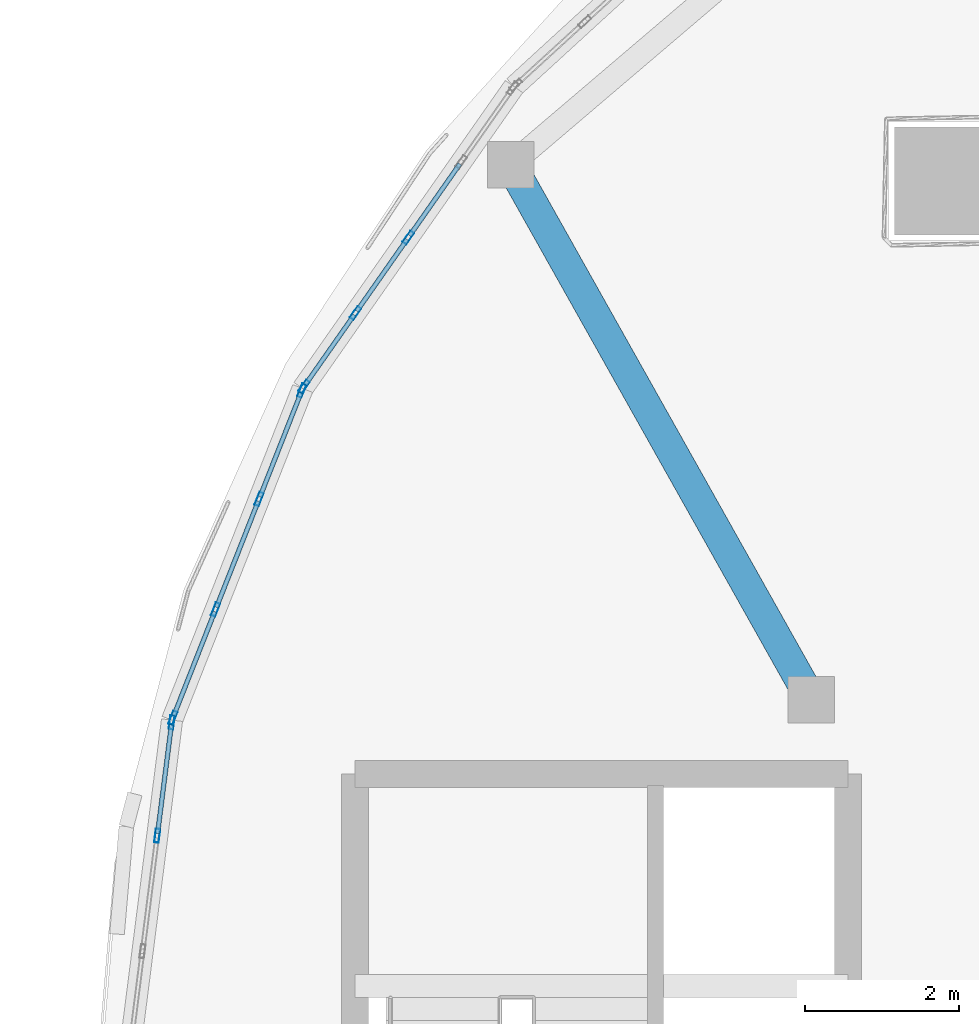
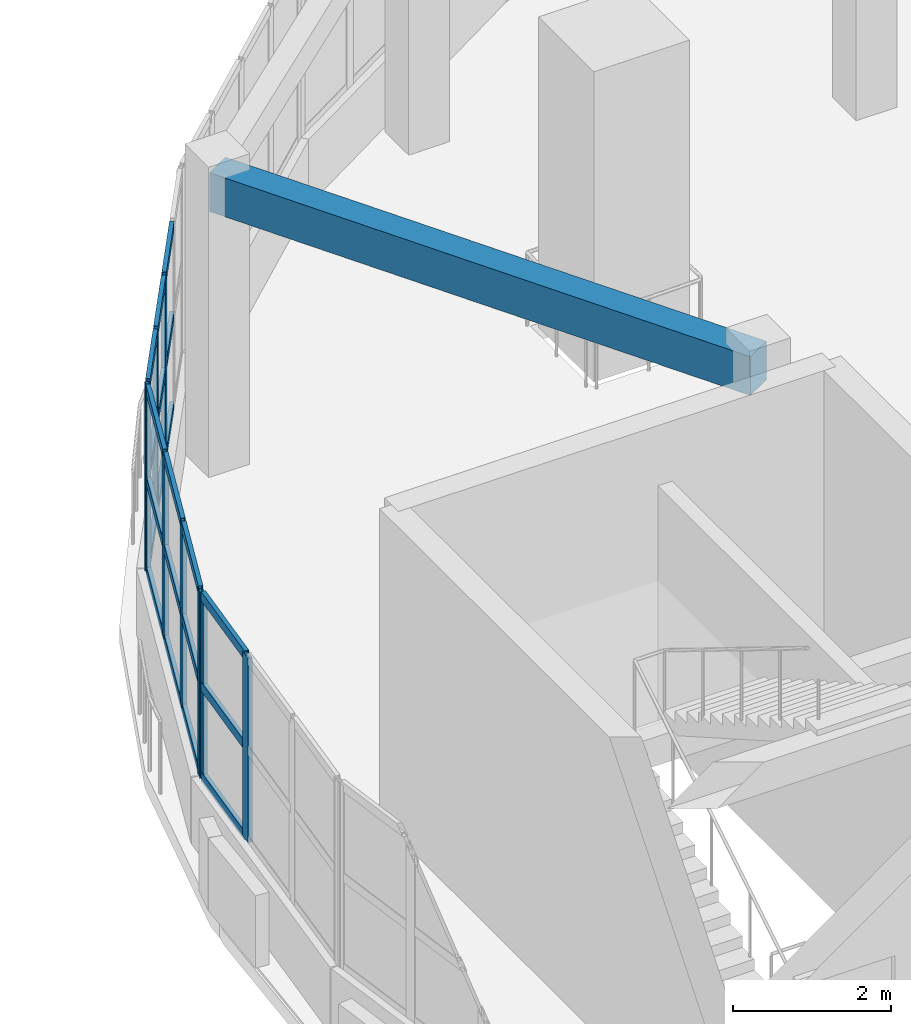
# One storey, part 20 of 69: 30 members, 1 beam, 3 elements without a shape of their own.
"""IFC4 building model written with IfcOpenShell, lengths in metres."""

from ifc_helpers import new_model, si_unit, direction, frame, origin, origin_2d, place, context, subcontext, project, spatial, rectangle, hollow_rectangle, extrude, material, layer, layer_set, material_profile, profile_set, type_object, element, aggregate, save


model = new_model("IFC4")

# Units and contexts
model_context = context("Model", 3, precision=1e-05, world=origin(), true_north=direction((0.0, 1.0)))
body_context = subcontext(model_context, "Body", "Model", "MODEL_VIEW")
ifc_project = project(units=[si_unit("LENGTHUNIT", "METRE"), si_unit("AREAUNIT", "SQUARE_METRE"), si_unit("VOLUMEUNIT", "CUBIC_METRE"), si_unit("PLANEANGLEUNIT", "RADIAN"), si_unit("MASSUNIT", "GRAM", prefix="KILO")], contexts=[model_context])

# Site, building, storey
site_placement = place(None, origin())
site = spatial("IfcSite", under=ifc_project, at=site_placement, CompositionType="ELEMENT")
building_placement = place(site_placement, origin())
building = spatial("IfcBuilding", under=site, at=building_placement, Name="Pelvatis Terrace Science Centre", CompositionType="ELEMENT")
storey_placement = place(building_placement, frame((0.0, 0.0, 15.0)))
storey = spatial("IfcBuildingStorey", under=building, at=storey_placement, Name="L03", CompositionType="ELEMENT", Elevation=15.0)

# Beam
ifc_material_1 = material(Name="Concrete C35/45", Category="concrete")
ifc_material_profile_1 = material_profile(ifc_material_1, rectangle(XDim=0.39990234375, YDim=0.60009765625, at=origin_2d()), Name="RC-BM 400x600")
ifc_profile_set_1 = profile_set([ifc_material_profile_1], Name="Concrete C35/45")
beam_type = type_object("IfcBeamType", Name="BM-RC-400x600", PredefinedType="BEAM", material=ifc_profile_set_1)
beam_placement = place(storey_placement, frame((88.8203125, 95.71142578125, 4.25), z_axis=(0.489826177205, -0.871820116839, 0.0), x_axis=(0.871820116839, 0.489826177205, 0.0)))
element("IfcBeam", 1, at=beam_placement, inside=storey, type_object=beam_type, Name="Beam BM-L03-3023", PredefinedType="BEAM", context=body_context, shape_type="SweptSolid", body=[
    extrude(rectangle(XDim=0.39990234375, YDim=0.60009765625, at=origin_2d()), origin(), (0.0, 0.0, 1.0), 7.96728515625),
])

# Curtain wall, members
ifc_material_2 = material(Name="Bronze-anodised aluminium and laminated glass", Category="aluminium")
ifc_layer = layer(ifc_material_2, 0.179931640625)
ifc_layer_set = layer_set([ifc_layer], Name="Bronze-anodised aluminium and laminated glass")
curtain_wall_type = type_object("IfcCurtainWallType", Name="CW-RIBBON-A", PredefinedType="NOTDEFINED", material=ifc_layer_set)
curtain_wall_1_placement = place(storey_placement, origin())
curtain_wall_1 = element("IfcCurtainWall", 2, at=curtain_wall_1_placement, inside=storey, type_object=curtain_wall_type, Name="Ribbon curtain wall CW-195 (L03)", PredefinedType="NOTDEFINED")
ifc_material_3 = material(Name="Bronze-anodised aluminium 6063-T6", Category="aluminium")
ifc_material_profile_2 = material_profile(ifc_material_3, hollow_rectangle(XDim=0.06005859375, YDim=0.179931640625, WallThickness=0.00390625, at=origin_2d()), Name="ALU-MUL 60x180")
ifc_profile_set_2 = profile_set([ifc_material_profile_2], Name="Bronze-anodised aluminium 6063-T6")
member_type_1 = type_object("IfcMemberType", Name="CWM-60x180", PredefinedType="MULLION", material=ifc_profile_set_2)
member_1_placement = place(storey_placement, frame((87.491455078125, 94.765625, 1.02001953125), z_axis=(0.0, 0.0, 1.0), x_axis=(0.81922799303, -0.573467955021, 0.0)))
member_1 = element("IfcMember", 3, at=member_1_placement, type_object=member_type_1, Name="CW-195 mullion 3", PredefinedType="MULLION", context=body_context, shape_type="SweptSolid", body=[
    extrude(hollow_rectangle(XDim=0.06005859375, YDim=0.179931640625, WallThickness=0.00390625, at=origin_2d()), origin(), (0.0, 0.0, 1.0), 2.85009765625),
])
member_2_placement = place(storey_placement, frame((86.805419921875, 93.78564453125, 1.02001953125), z_axis=(0.0, 0.0, 1.0), x_axis=(0.81922799303, -0.573467955021, 0.0)))
member_2 = element("IfcMember", 4, at=member_2_placement, type_object=member_type_1, Name="CW-195 mullion 4", PredefinedType="MULLION", context=body_context, shape_type="SweptSolid", body=[
    extrude(hollow_rectangle(XDim=0.06005859375, YDim=0.179931640625, WallThickness=0.00390625, at=origin_2d()), origin(), (0.0, 0.0, 1.0), 2.85009765625),
])
member_3_placement = place(storey_placement, frame((86.13671875, 92.830322265625, 1.02001953125), z_axis=(0.0, 0.0, 1.0), x_axis=(0.81922799303, -0.573467955021, 0.0)))
member_3 = element("IfcMember", 5, at=member_3_placement, type_object=member_type_1, Name="CW-195 mullion 5", PredefinedType="MULLION", context=body_context, shape_type="SweptSolid", body=[
    extrude(hollow_rectangle(XDim=0.06005859375, YDim=0.179931640625, WallThickness=0.00390625, at=origin_2d()), origin(), (0.0, 0.0, 1.0), 2.85009765625),
])

curtain_wall_2_placement = place(storey_placement, origin())
curtain_wall_2 = element("IfcCurtainWall", 6, at=curtain_wall_2_placement, inside=storey, type_object=curtain_wall_type, Name="Ribbon curtain wall CW-196 (L03)", PredefinedType="NOTDEFINED")
member_4_placement = place(storey_placement, frame((86.1083984375, 92.77783203125, 1.02001953125), z_axis=(0.0, 0.0, 1.0), x_axis=(0.930401915157, -0.366540961248, 0.0)))
member_4 = element("IfcMember", 7, at=member_4_placement, type_object=member_type_1, Name="CW-196 mullion 1", PredefinedType="MULLION", context=body_context, shape_type="SweptSolid", body=[
    extrude(hollow_rectangle(XDim=0.06005859375, YDim=0.179931640625, WallThickness=0.00390625, at=origin_2d()), origin(), (0.0, 0.0, 1.0), 2.85009765625),
])
member_5_placement = place(storey_placement, frame((85.55419921875, 91.370849609375, 1.02001953125), z_axis=(0.0, 0.0, 1.0), x_axis=(0.930401915157, -0.366540961248, 0.0)))
member_5 = element("IfcMember", 8, at=member_5_placement, type_object=member_type_1, Name="CW-196 mullion 2", PredefinedType="MULLION", context=body_context, shape_type="SweptSolid", body=[
    extrude(hollow_rectangle(XDim=0.06005859375, YDim=0.179931640625, WallThickness=0.00390625, at=origin_2d()), origin(), (0.0, 0.0, 1.0), 2.85009765625),
])
member_6_placement = place(storey_placement, frame((84.98876953125, 89.93603515625, 1.02001953125), z_axis=(0.0, 0.0, 1.0), x_axis=(0.930401915157, -0.366540961248, 0.0)))
member_6 = element("IfcMember", 9, at=member_6_placement, type_object=member_type_1, Name="CW-196 mullion 3", PredefinedType="MULLION", context=body_context, shape_type="SweptSolid", body=[
    extrude(hollow_rectangle(XDim=0.06005859375, YDim=0.179931640625, WallThickness=0.00390625, at=origin_2d()), origin(), (0.0, 0.0, 1.0), 2.85009765625),
])
member_7_placement = place(storey_placement, frame((84.4345703125, 88.529296875, 1.02001953125), z_axis=(0.0, 0.0, 1.0), x_axis=(0.930401915157, -0.366540961248, 0.0)))
member_7 = element("IfcMember", 10, at=member_7_placement, type_object=member_type_1, Name="CW-196 mullion 4", PredefinedType="MULLION", context=body_context, shape_type="SweptSolid", body=[
    extrude(hollow_rectangle(XDim=0.06005859375, YDim=0.179931640625, WallThickness=0.00390625, at=origin_2d()), origin(), (0.0, 0.0, 1.0), 2.85009765625),
])

curtain_wall_3_placement = place(storey_placement, origin())
curtain_wall_3 = element("IfcCurtainWall", 11, at=curtain_wall_3_placement, inside=storey, type_object=curtain_wall_type, Name="Ribbon curtain wall CW-197 (L03)", PredefinedType="NOTDEFINED")
member_8_placement = place(storey_placement, frame((84.419921875, 88.471435546875, 1.02001953125), z_axis=(0.0, 0.0, 1.0), x_axis=(0.991978378597, -0.126407659563, 0.0)))
member_8 = element("IfcMember", 12, at=member_8_placement, type_object=member_type_1, Name="CW-197 mullion 1", PredefinedType="MULLION", context=body_context, shape_type="SweptSolid", body=[
    extrude(hollow_rectangle(XDim=0.06005859375, YDim=0.179931640625, WallThickness=0.00390625, at=origin_2d()), origin(), (0.0, 0.0, 1.0), 2.85009765625),
])
member_9_placement = place(storey_placement, frame((84.232421875, 87.0009765625, 1.02001953125), z_axis=(0.0, 0.0, 1.0), x_axis=(0.991978378597, -0.126407659563, 0.0)))
member_9 = element("IfcMember", 13, at=member_9_placement, type_object=member_type_1, Name="CW-197 mullion 2", PredefinedType="MULLION", context=body_context, shape_type="SweptSolid", body=[
    extrude(hollow_rectangle(XDim=0.06005859375, YDim=0.179931640625, WallThickness=0.00390625, at=origin_2d()), origin(), (0.0, 0.0, 1.0), 2.85009765625),
])

# Member
ifc_material_4 = material(Name="Bronze-anodised aluminium 6063-T6", Category="aluminium")
ifc_material_profile_3 = material_profile(ifc_material_4, hollow_rectangle(XDim=0.06005859375, YDim=0.139892578125, WallThickness=0.00390625, at=origin_2d()), Name="ALU-TRN 60x140")
ifc_profile_set_3 = profile_set([ifc_material_profile_3], Name="Bronze-anodised aluminium 6063-T6")
member_type_2 = type_object("IfcMemberType", Name="CWT-60x140", PredefinedType="USERDEFINED", material=ifc_profile_set_3)
member_10_placement = place(storey_placement, frame((88.16015625, 95.72119140625, 1.050048828125), z_axis=(-0.573447924478, -0.81924201425, 0.0), x_axis=(0.81924201425, -0.573447924478, 0.0)))
member_10 = element("IfcMember", 14, at=member_10_placement, type_object=member_type_2, Name="CW-195 transom 2.1", ObjectType="TRANSOM", PredefinedType="USERDEFINED", context=body_context, shape_type="SweptSolid", body=[
    extrude(hollow_rectangle(XDim=0.06005859375, YDim=0.139892578125, WallThickness=0.00390625, at=origin_2d()), origin(), (0.0, 0.0, 1.0), 1.13623046875),
])

member_11_placement = place(storey_placement, frame((88.16015625, 95.72119140625, 2.445068359375), z_axis=(-0.573447924478, -0.81924201425, 0.0), x_axis=(0.81924201425, -0.573447924478, 0.0)))
member_11 = element("IfcMember", 15, at=member_11_placement, type_object=member_type_2, Name="CW-195 transom 2.2", ObjectType="TRANSOM", PredefinedType="USERDEFINED", context=body_context, shape_type="SweptSolid", body=[
    extrude(hollow_rectangle(XDim=0.06005859375, YDim=0.139892578125, WallThickness=0.00390625, at=origin_2d()), origin(), (0.0, 0.0, 1.0), 1.13623046875),
])

member_12_placement = place(storey_placement, frame((88.16015625, 95.72119140625, 3.840087890625), z_axis=(-0.573447924478, -0.81924201425, 0.0), x_axis=(0.81924201425, -0.573447924478, 0.0)))
member_12 = element("IfcMember", 16, at=member_12_placement, type_object=member_type_2, Name="CW-195 transom 2.3", ObjectType="TRANSOM", PredefinedType="USERDEFINED", context=body_context, shape_type="SweptSolid", body=[
    extrude(hollow_rectangle(XDim=0.06005859375, YDim=0.139892578125, WallThickness=0.00390625, at=origin_2d()), origin(), (0.0, 0.0, 1.0), 1.13623046875),
])

member_13_placement = place(storey_placement, frame((87.47412109375, 94.7412109375, 1.050048828125), z_axis=(-0.573447924478, -0.81924201425, 0.0), x_axis=(0.81924201425, -0.573447924478, 0.0)))
member_13 = element("IfcMember", 17, at=member_13_placement, type_object=member_type_2, Name="CW-195 transom 3.1", ObjectType="TRANSOM", PredefinedType="USERDEFINED", context=body_context, shape_type="SweptSolid", body=[
    extrude(hollow_rectangle(XDim=0.06005859375, YDim=0.139892578125, WallThickness=0.00390625, at=origin_2d()), origin(), (0.0, 0.0, 1.0), 1.13623046875),
])

member_14_placement = place(storey_placement, frame((87.47412109375, 94.7412109375, 2.445068359375), z_axis=(-0.573447924478, -0.81924201425, 0.0), x_axis=(0.81924201425, -0.573447924478, 0.0)))
member_14 = element("IfcMember", 18, at=member_14_placement, type_object=member_type_2, Name="CW-195 transom 3.2", ObjectType="TRANSOM", PredefinedType="USERDEFINED", context=body_context, shape_type="SweptSolid", body=[
    extrude(hollow_rectangle(XDim=0.06005859375, YDim=0.139892578125, WallThickness=0.00390625, at=origin_2d()), origin(), (0.0, 0.0, 1.0), 1.13623046875),
])

member_15_placement = place(storey_placement, frame((87.47412109375, 94.7412109375, 3.840087890625), z_axis=(-0.573447924478, -0.81924201425, 0.0), x_axis=(0.81924201425, -0.573447924478, 0.0)))
member_15 = element("IfcMember", 19, at=member_15_placement, type_object=member_type_2, Name="CW-195 transom 3.3", ObjectType="TRANSOM", PredefinedType="USERDEFINED", context=body_context, shape_type="SweptSolid", body=[
    extrude(hollow_rectangle(XDim=0.06005859375, YDim=0.139892578125, WallThickness=0.00390625, at=origin_2d()), origin(), (0.0, 0.0, 1.0), 1.13623046875),
])

member_16_placement = place(storey_placement, frame((86.7880859375, 93.76123046875, 1.050048828125), z_axis=(-0.573403092011, -0.819273393973, 0.0), x_axis=(0.819273393973, -0.573403092011, 0.0)))
member_16 = element("IfcMember", 20, at=member_16_placement, type_object=member_type_2, Name="CW-195 transom 4.1", ObjectType="TRANSOM", PredefinedType="USERDEFINED", context=body_context, shape_type="SweptSolid", body=[
    extrude(hollow_rectangle(XDim=0.06005859375, YDim=0.139892578125, WallThickness=0.00390625, at=origin_2d()), origin(), (0.0, 0.0, 1.0), 1.106201171875),
])

member_17_placement = place(storey_placement, frame((86.7880859375, 93.76123046875, 2.445068359375), z_axis=(-0.573403092011, -0.819273393973, 0.0), x_axis=(0.819273393973, -0.573403092011, 0.0)))
member_17 = element("IfcMember", 21, at=member_17_placement, type_object=member_type_2, Name="CW-195 transom 4.2", ObjectType="TRANSOM", PredefinedType="USERDEFINED", context=body_context, shape_type="SweptSolid", body=[
    extrude(hollow_rectangle(XDim=0.06005859375, YDim=0.139892578125, WallThickness=0.00390625, at=origin_2d()), origin(), (0.0, 0.0, 1.0), 1.106201171875),
])

member_18_placement = place(storey_placement, frame((86.7880859375, 93.76123046875, 3.840087890625), z_axis=(-0.573403092011, -0.819273393973, 0.0), x_axis=(0.819273393973, -0.573403092011, 0.0)))
member_18 = element("IfcMember", 22, at=member_18_placement, type_object=member_type_2, Name="CW-195 transom 4.3", ObjectType="TRANSOM", PredefinedType="USERDEFINED", context=body_context, shape_type="SweptSolid", body=[
    extrude(hollow_rectangle(XDim=0.06005859375, YDim=0.139892578125, WallThickness=0.00390625, at=origin_2d()), origin(), (0.0, 0.0, 1.0), 1.106201171875),
])

aggregate(curtain_wall_1, [member_1, member_2, member_3, member_10, member_11, member_12, member_13, member_14, member_15, member_16, member_17, member_18])

member_19_placement = place(storey_placement, frame((86.097412109375, 92.75, 1.050048828125), z_axis=(-0.366515697741, -0.930411867567, 0.0), x_axis=(0.930411867567, -0.366515697741, 0.0)))
member_19 = element("IfcMember", 23, at=member_19_placement, type_object=member_type_2, Name="CW-196 transom 1.1", ObjectType="TRANSOM", PredefinedType="USERDEFINED", context=body_context, shape_type="SweptSolid", body=[
    extrude(hollow_rectangle(XDim=0.06005859375, YDim=0.139892578125, WallThickness=0.00390625, at=origin_2d()), origin(), (0.0, 0.0, 1.0), 1.4521484375),
])

member_20_placement = place(storey_placement, frame((86.097412109375, 92.75, 2.445068359375), z_axis=(-0.366515697741, -0.930411867567, 0.0), x_axis=(0.930411867567, -0.366515697741, 0.0)))
member_20 = element("IfcMember", 24, at=member_20_placement, type_object=member_type_2, Name="CW-196 transom 1.2", ObjectType="TRANSOM", PredefinedType="USERDEFINED", context=body_context, shape_type="SweptSolid", body=[
    extrude(hollow_rectangle(XDim=0.06005859375, YDim=0.139892578125, WallThickness=0.00390625, at=origin_2d()), origin(), (0.0, 0.0, 1.0), 1.4521484375),
])

member_21_placement = place(storey_placement, frame((86.097412109375, 92.75, 3.840087890625), z_axis=(-0.366515697741, -0.930411867567, 0.0), x_axis=(0.930411867567, -0.366515697741, 0.0)))
member_21 = element("IfcMember", 25, at=member_21_placement, type_object=member_type_2, Name="CW-196 transom 1.3", ObjectType="TRANSOM", PredefinedType="USERDEFINED", context=body_context, shape_type="SweptSolid", body=[
    extrude(hollow_rectangle(XDim=0.06005859375, YDim=0.139892578125, WallThickness=0.00390625, at=origin_2d()), origin(), (0.0, 0.0, 1.0), 1.4521484375),
])

member_22_placement = place(storey_placement, frame((85.543212890625, 91.343017578125, 1.050048828125), z_axis=(-0.366671428132, -0.93035050588, 0.0), x_axis=(0.93035050588, -0.366671428132, 0.0)))
member_22 = element("IfcMember", 26, at=member_22_placement, type_object=member_type_2, Name="CW-196 transom 2.1", ObjectType="TRANSOM", PredefinedType="USERDEFINED", context=body_context, shape_type="SweptSolid", body=[
    extrude(hollow_rectangle(XDim=0.06005859375, YDim=0.139892578125, WallThickness=0.00390625, at=origin_2d()), origin(), (0.0, 0.0, 1.0), 1.482177734375),
])

member_23_placement = place(storey_placement, frame((85.543212890625, 91.343017578125, 2.445068359375), z_axis=(-0.366671428132, -0.93035050588, 0.0), x_axis=(0.93035050588, -0.366671428132, 0.0)))
member_23 = element("IfcMember", 27, at=member_23_placement, type_object=member_type_2, Name="CW-196 transom 2.2", ObjectType="TRANSOM", PredefinedType="USERDEFINED", context=body_context, shape_type="SweptSolid", body=[
    extrude(hollow_rectangle(XDim=0.06005859375, YDim=0.139892578125, WallThickness=0.00390625, at=origin_2d()), origin(), (0.0, 0.0, 1.0), 1.482177734375),
])

member_24_placement = place(storey_placement, frame((85.543212890625, 91.343017578125, 3.840087890625), z_axis=(-0.366671428132, -0.93035050588, 0.0), x_axis=(0.93035050588, -0.366671428132, 0.0)))
member_24 = element("IfcMember", 28, at=member_24_placement, type_object=member_type_2, Name="CW-196 transom 2.3", ObjectType="TRANSOM", PredefinedType="USERDEFINED", context=body_context, shape_type="SweptSolid", body=[
    extrude(hollow_rectangle(XDim=0.06005859375, YDim=0.139892578125, WallThickness=0.00390625, at=origin_2d()), origin(), (0.0, 0.0, 1.0), 1.482177734375),
])

member_25_placement = place(storey_placement, frame((84.977783203125, 89.908203125, 1.050048828125), z_axis=(-0.366515697741, -0.930411867567, 0.0), x_axis=(0.930411867567, -0.366515697741, 0.0)))
member_25 = element("IfcMember", 29, at=member_25_placement, type_object=member_type_2, Name="CW-196 transom 3.1", ObjectType="TRANSOM", PredefinedType="USERDEFINED", context=body_context, shape_type="SweptSolid", body=[
    extrude(hollow_rectangle(XDim=0.06005859375, YDim=0.139892578125, WallThickness=0.00390625, at=origin_2d()), origin(), (0.0, 0.0, 1.0), 1.4521484375),
])

member_26_placement = place(storey_placement, frame((84.977783203125, 89.908203125, 2.445068359375), z_axis=(-0.366515697741, -0.930411867567, 0.0), x_axis=(0.930411867567, -0.366515697741, 0.0)))
member_26 = element("IfcMember", 30, at=member_26_placement, type_object=member_type_2, Name="CW-196 transom 3.2", ObjectType="TRANSOM", PredefinedType="USERDEFINED", context=body_context, shape_type="SweptSolid", body=[
    extrude(hollow_rectangle(XDim=0.06005859375, YDim=0.139892578125, WallThickness=0.00390625, at=origin_2d()), origin(), (0.0, 0.0, 1.0), 1.4521484375),
])

member_27_placement = place(storey_placement, frame((84.977783203125, 89.908203125, 3.840087890625), z_axis=(-0.366515697741, -0.930411867567, 0.0), x_axis=(0.930411867567, -0.366515697741, 0.0)))
member_27 = element("IfcMember", 31, at=member_27_placement, type_object=member_type_2, Name="CW-196 transom 3.3", ObjectType="TRANSOM", PredefinedType="USERDEFINED", context=body_context, shape_type="SweptSolid", body=[
    extrude(hollow_rectangle(XDim=0.06005859375, YDim=0.139892578125, WallThickness=0.00390625, at=origin_2d()), origin(), (0.0, 0.0, 1.0), 1.4521484375),
])

aggregate(curtain_wall_2, [member_4, member_5, member_6, member_7, member_19, member_20, member_21, member_22, member_23, member_24, member_25, member_26, member_27])

member_28_placement = place(storey_placement, frame((84.416015625, 88.44189453125, 1.050048828125), z_axis=(-0.126463044856, -0.991971319286, 0.0), x_axis=(0.991971319286, -0.126463044856, 0.0)))
member_28 = element("IfcMember", 32, at=member_28_placement, type_object=member_type_2, Name="CW-197 transom 1.1", ObjectType="TRANSOM", PredefinedType="USERDEFINED", context=body_context, shape_type="SweptSolid", body=[
    extrude(hollow_rectangle(XDim=0.06005859375, YDim=0.139892578125, WallThickness=0.00390625, at=origin_2d()), origin(), (0.0, 0.0, 1.0), 1.4228515625),
])

member_29_placement = place(storey_placement, frame((84.416015625, 88.44189453125, 2.445068359375), z_axis=(-0.126463044856, -0.991971319286, 0.0), x_axis=(0.991971319286, -0.126463044856, 0.0)))
member_29 = element("IfcMember", 33, at=member_29_placement, type_object=member_type_2, Name="CW-197 transom 1.2", ObjectType="TRANSOM", PredefinedType="USERDEFINED", context=body_context, shape_type="SweptSolid", body=[
    extrude(hollow_rectangle(XDim=0.06005859375, YDim=0.139892578125, WallThickness=0.00390625, at=origin_2d()), origin(), (0.0, 0.0, 1.0), 1.4228515625),
])

member_30_placement = place(storey_placement, frame((84.416015625, 88.44189453125, 3.840087890625), z_axis=(-0.126463044856, -0.991971319286, 0.0), x_axis=(0.991971319286, -0.126463044856, 0.0)))
member_30 = element("IfcMember", 34, at=member_30_placement, type_object=member_type_2, Name="CW-197 transom 1.3", ObjectType="TRANSOM", PredefinedType="USERDEFINED", context=body_context, shape_type="SweptSolid", body=[
    extrude(hollow_rectangle(XDim=0.06005859375, YDim=0.139892578125, WallThickness=0.00390625, at=origin_2d()), origin(), (0.0, 0.0, 1.0), 1.4228515625),
])

aggregate(curtain_wall_3, [member_8, member_9, member_28, member_29, member_30])

save(model, "model.ifc")
